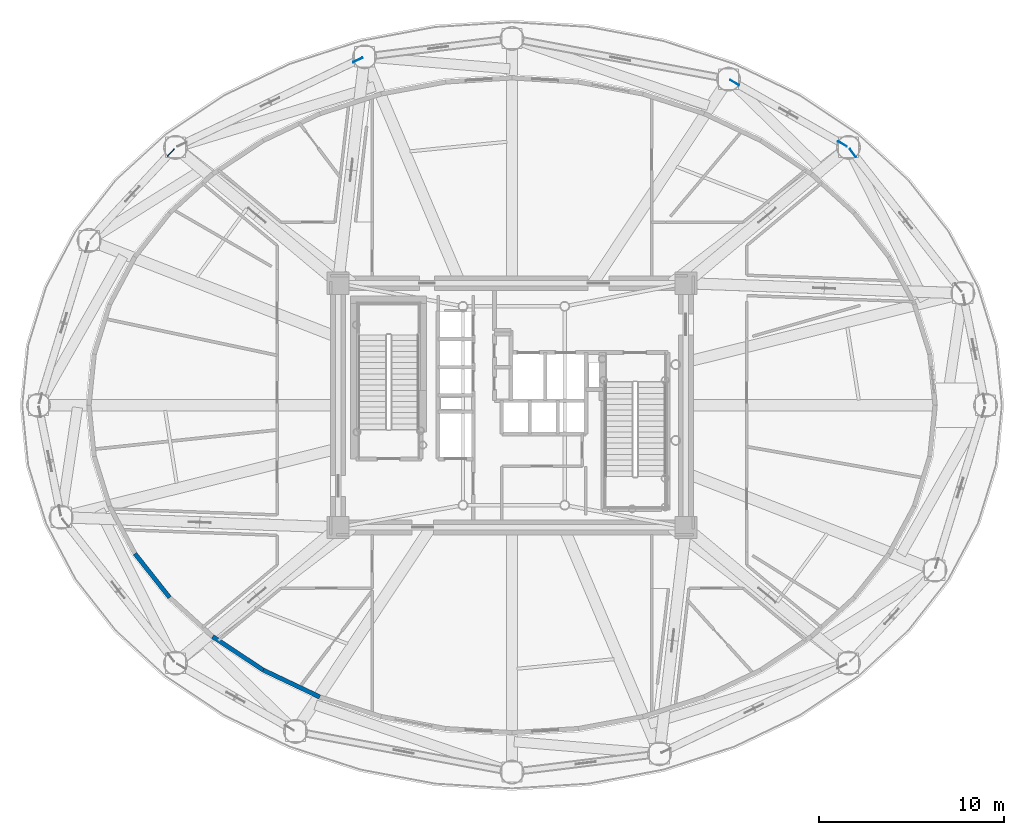
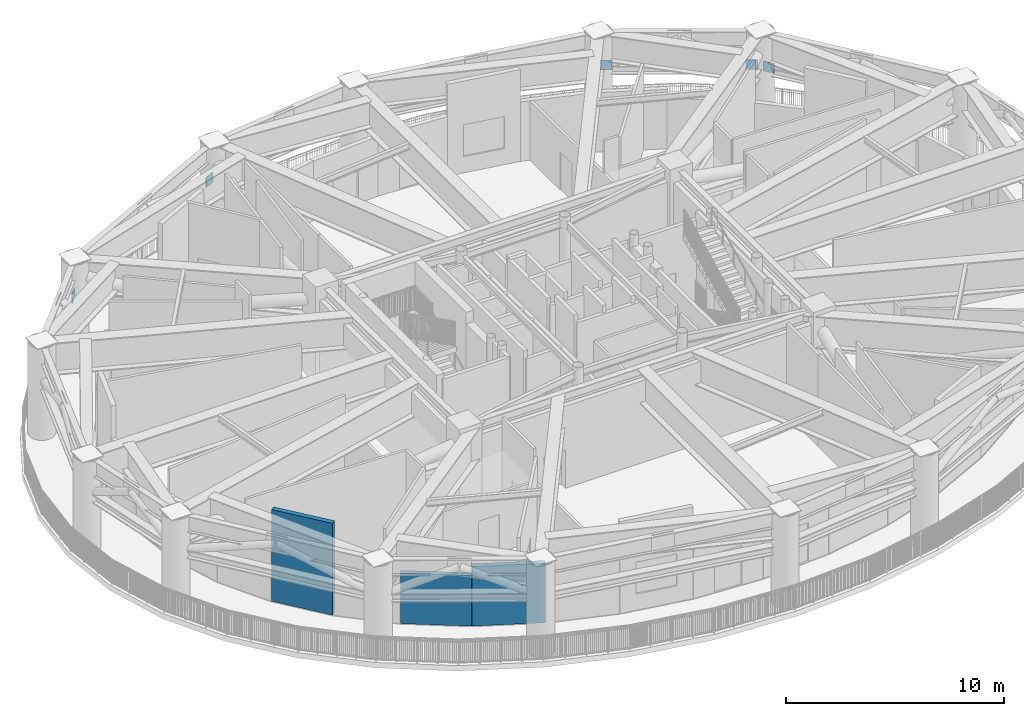
# One storey, part 9 of 20: 5 plates, 3 walls.
"""IFC4 building model written with IfcOpenShell, lengths in metres."""

from ifc_helpers import new_model, si_unit, direction, frame, frame_2d, origin, origin_2d, place, context, subcontext, project, spatial, rectangle, extrude, source, transform, mapped, material, layer, layer_set, type_object, element, save


model = new_model("IFC4")

# Units and contexts
model_context = context("Model", 3, precision=1e-05, world=origin(), true_north=direction((0.0, 1.0)))
body_context = subcontext(model_context, "Body", "Model", "MODEL_VIEW")
ifc_project = project(units=[si_unit("LENGTHUNIT", "METRE"), si_unit("AREAUNIT", "SQUARE_METRE"), si_unit("VOLUMEUNIT", "CUBIC_METRE"), si_unit("PLANEANGLEUNIT", "RADIAN"), si_unit("MASSUNIT", "GRAM", prefix="KILO")], contexts=[model_context])

# Site, building, storey
site_placement = place(None, origin())
site = spatial("IfcSite", under=ifc_project, at=site_placement, CompositionType="ELEMENT")
building_placement = place(site_placement, origin())
building = spatial("IfcBuilding", under=site, at=building_placement, Name="Linh Dai School and Residence Tower", CompositionType="ELEMENT")
storey_placement = place(building_placement, frame((0.0, 0.0, 204.89990234375)))
storey = spatial("IfcBuildingStorey", under=building, at=storey_placement, Name="L50", CompositionType="ELEMENT", Elevation=204.89990234375)

# Plates
ifc_material_1 = material(Name="Structural Steel S355JR", Category="steel")
ifc_layer_1 = layer(ifc_material_1, 0.0400390625)
ifc_layer_set_1 = layer_set([ifc_layer_1], Name="Structural Steel S355JR")
plate_type = type_object("IfcPlateType", Name="PLT-GP1", PredefinedType="USERDEFINED", material=ifc_layer_set_1)
shared_shape = source(origin(), body_context, "Body", "SweptSolid", [
    extrude(rectangle(XDim=0.550048828125, YDim=0.0400390625, at=origin_2d()), origin(), (0.0, 0.0, 1.0), 0.550048828125),
])
for number, where, z_axis, x_axis, name in (
    (1, (54.4384765625, 40.627685546875, 2.90625), (0.0, 0.0, 1.0), (-0.616842561711, 0.787086560717, 0.0), "L50 Belt Truss BT3 Root End Gusset 02B"),
    (2, (53.858642578125, 41.131591796875, 2.94482421875), (0.0, 0.0, 1.0), (-0.869261064655, 0.49435331644, 0.0), "L50 Belt Truss BT3 Root End Gusset 03A"),
    (3, (48.03955078125, 44.44091796875, 2.94482421875), (0.0, 0.0, 1.0), (-0.869261064655, 0.49435331644, 0.0), "L50 Belt Truss BT3 Root End Gusset 03B"),
    (4, (27.6630859375, 45.6669921875, 2.892578125), (0.0, 0.0, 1.0), (-0.901714218118, -0.432332590541, 0.0), "L50 Belt Truss BT3 Root End Gusset 06A"),
    (5, (17.550048828125, 40.664306640625, 2.95703125), (0.0, 0.0, 1.0), (-0.680367716843, -0.732870909423, 0.0), "L50 Belt Truss BT3 Root End Gusset 07A"),
):
    element("IfcPlate", number, at=place(storey_placement, frame(where, z_axis=z_axis, x_axis=x_axis)), inside=storey, type_object=plate_type, Name=name, ObjectType="GUSSET PLATE", PredefinedType="USERDEFINED", context=body_context, shape_type="MappedRepresentation", body=[
        mapped(shared_shape, transform((0.0, 0.0, 0.0), x_axis=(1.0, 0.0, 0.0), y_axis=(0.0, 1.0, 0.0), z_axis=(0.0, 0.0, 1.0), scale=1.0)),
    ])

# Walls
ifc_material_2 = material(Name="Precast Concrete B45 (C35/45)", Category="concrete")
ifc_layer_2 = layer(ifc_material_2, 0.239990234375)
ifc_layer_set_2 = layer_set([ifc_layer_2], Name="Precast Concrete B45 (C35/45)")
wall_type = type_object("IfcWallType", Name="EW-TC-240", PredefinedType="SOLIDWALL", material=ifc_layer_set_2)
wall_1_placement = place(storey_placement, frame((17.48388671875, 16.605224609375, 0.0), z_axis=(0.0, 0.0, 1.0), x_axis=(-0.620129139863, 0.784499744992, 0.0)))
element("IfcWall", 6, at=wall_1_placement, inside=storey, type_object=wall_type, Name="L50 Terracotta Exterior Wall 24", PredefinedType="SOLIDWALL", context=body_context, shape_type="SweptSolid", body=[
    extrude(rectangle(XDim=3.01953125, YDim=0.239990234375, at=frame_2d((1.509765625, 0.0))), origin(), (0.0, 0.0, 1.0), 5.150146484375),
])
wall_2_placement = place(storey_placement, frame((22.542236328125, 12.68408203125, 0.0), z_axis=(0.0, 0.0, 1.0), x_axis=(-0.833801933416, 0.552063706317, 0.0)))
element("IfcWall", 7, at=wall_2_placement, inside=storey, type_object=wall_type, Name="L50 Terracotta Exterior Wall 26", PredefinedType="SOLIDWALL", context=body_context, shape_type="SweptSolid", body=[
    extrude(rectangle(XDim=3.27294921875, YDim=0.239990234375, at=frame_2d((1.636474609375, 0.0))), origin(), (0.0, 0.0, 1.0), 2.83203125),
])
wall_3_placement = place(storey_placement, frame((25.604248046875, 11.2294921875, 0.0), z_axis=(0.0, 0.0, 1.0), x_axis=(-0.903262152457, 0.429089132861, 0.0)))
element("IfcWall", 8, at=wall_3_placement, inside=storey, type_object=wall_type, Name="L50 Terracotta Exterior Wall 27", PredefinedType="SOLIDWALL", context=body_context, shape_type="SweptSolid", body=[
    extrude(rectangle(XDim=3.389892578125, YDim=0.239990234375, at=frame_2d((1.69482421875, 0.0))), origin(), (0.0, 0.0, 1.0), 3.335205078125),
])

save(model, "model.ifc")
